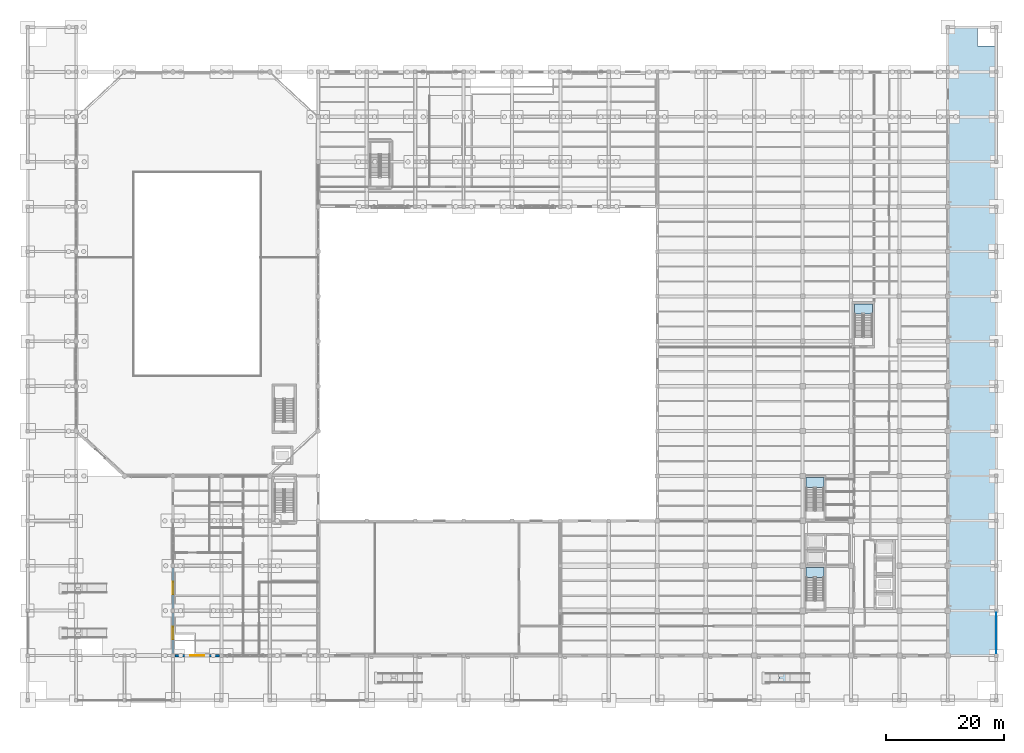
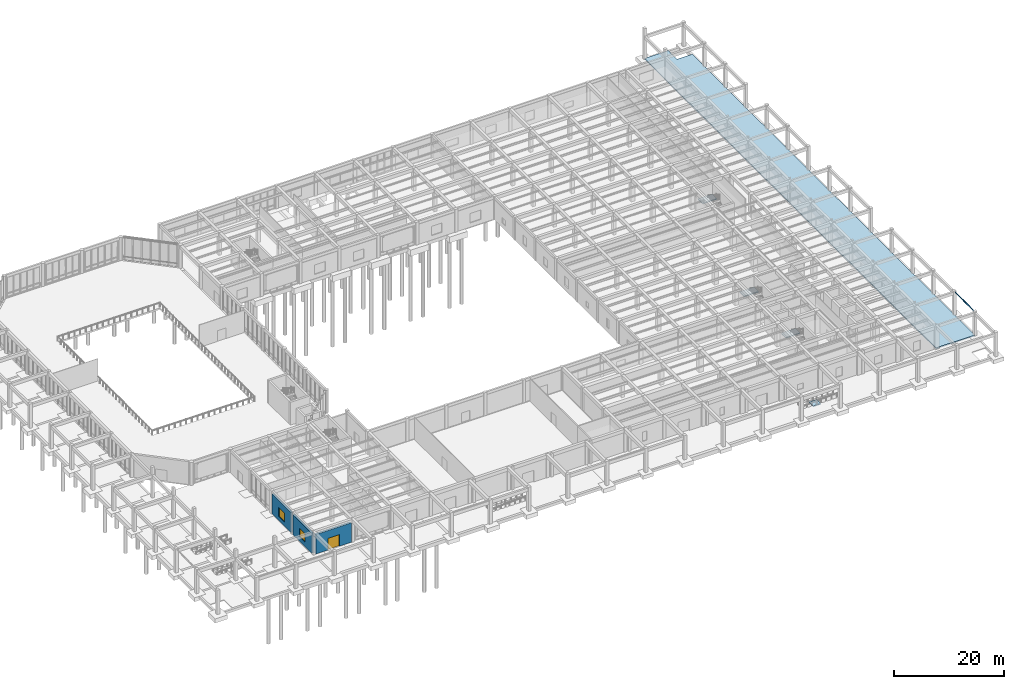
# One storey, part 41 of 64: 5 slabs, 3 walls, 2 windows, 1 door, 1 plate, 3 openings, 4 elements without a shape of their own.
"""IFC4 building model written with IfcOpenShell, lengths in metres."""

from ifc_helpers import new_model, si_unit, direction, frame, frame_2d, origin, origin_2d, place, context, subcontext, project, spatial, polyline, rectangle, outline, extrude, material, layer, layer_set, type_object, element, fill, aggregate, save


model = new_model("IFC4")

# Units and contexts
model_context = context("Model", 3, precision=1e-05, world=origin(), true_north=direction((0.0, 1.0)))
body_context = subcontext(model_context, "Body", "Model", "MODEL_VIEW")
ifc_project = project(units=[si_unit("LENGTHUNIT", "METRE"), si_unit("AREAUNIT", "SQUARE_METRE"), si_unit("VOLUMEUNIT", "CUBIC_METRE"), si_unit("PLANEANGLEUNIT", "RADIAN"), si_unit("MASSUNIT", "GRAM", prefix="KILO")], contexts=[model_context])

# Site, building, storey
site_placement = place(None, origin())
site = spatial("IfcSite", under=ifc_project, at=site_placement, CompositionType="ELEMENT")
building_placement = place(site_placement, origin())
building = spatial("IfcBuilding", under=site, at=building_placement, Name="Qandaris Square Conservatory and Botanical Centre", CompositionType="ELEMENT")
storey_placement = place(building_placement, origin())
storey = spatial("IfcBuildingStorey", under=building, at=storey_placement, Name="L00", CompositionType="ELEMENT", Elevation=0.0)

# Ramp, slab
ifc_material_1 = material(Name="Concrete C40/50", Category="concrete")
ramp_type = type_object("IfcRampType", Name="Accessible Forecourt Stone Ramp", PredefinedType="TWO_STRAIGHT_RUN_RAMP", material=ifc_material_1)
ramp_placement = place(storey_placement, origin())
ramp = element("IfcRamp", 1, at=ramp_placement, inside=storey, type_object=ramp_type, Name="Accessible Entrance Ramp RMP-04", PredefinedType="TWO_STRAIGHT_RUN_RAMP")
ifc_layer_1 = layer(ifc_material_1, 0.219970703125)
ifc_layer_set_1 = layer_set([ifc_layer_1], Name="Concrete C40/50")
slab_type_1 = type_object("IfcSlabType", Name="Accessible Ramp Landing Slab 220mm", PredefinedType="LANDING", material=ifc_layer_set_1)
slab_1_placement = place(storey_placement, frame((0.0, 0.0, -0.409912109375)))
slab_1 = element("IfcSlab", 2, at=slab_1_placement, type_object=slab_type_1, Name="RMP-04 Mid Landing", PredefinedType="LANDING", context=body_context, shape_type="SweptSolid", body=[
    extrude(outline(polyline([(135.300048828125, 12.050048828125), (136.89990234375, 12.050048828125), (136.89990234375, 13.550048828125), (135.300048828125, 13.550048828125), (135.300048828125, 12.050048828125)])), origin(), (0.0, 0.0, 1.0), 0.219970703125),
])
aggregate(ramp, [slab_1])

# Plate
ifc_material_2 = material(Name="Anodised Aluminium", Category="aluminium")
ifc_layer_2 = layer(ifc_material_2, 0.030029296875)
ifc_layer_set_2 = layer_set([ifc_layer_2], Name="Anodised Aluminium")
plate_type = type_object("IfcPlateType", Name="Prairie Entrance Canopy Soffit Fascia Plate", PredefinedType="SHEET", material=ifc_layer_set_2)
plate_placement = place(storey_placement, frame((172.0, 20.39990234375, 5.0498046875), z_axis=(0.0, 0.0, 1.0), x_axis=(0.0, 1.0, 0.0)))
element("IfcPlate", 3, at=plate_placement, inside=storey, type_object=plate_type, Name="Canopy Fascia CNP-E1", PredefinedType="SHEET", context=body_context, shape_type="SweptSolid", body=[
    extrude(rectangle(XDim=6.800048828125, YDim=0.030029296875, at=origin_2d()), origin(), (0.0, 0.0, 1.0), 0.239990234375),
])

# Slab
ifc_layer_3 = layer(ifc_material_1, 0.235107421875)
ifc_layer_set_3 = layer_set([ifc_layer_3], Name="Concrete C40/50")
slab_type_2 = type_object("IfcSlabType", Name="RC Exterior Terrace Slab 235mm", PredefinedType="FLOOR", material=ifc_layer_set_3)
slab_2_placement = place(storey_placement, frame((0.0, 0.0, -0.235107421875)))
element("IfcSlab", 4, at=slab_2_placement, inside=storey, type_object=slab_type_2, Name="Colonnade Plaza Deck COL-E", PredefinedType="FLOOR", context=body_context, shape_type="SweptSolid", body=[
    extrude(outline(polyline([(172.0, 16.60009765625), (163.800048828125, 16.60009765625), (163.800048828125, 123.0), (168.800048828125, 123.0), (168.800048828125, 119.800048828125), (172.0, 119.800048828125), (172.0, 16.60009765625)])), origin(), (0.0, 0.0, 1.0), 0.235107421875),
])

# Stair, slab
stair_type = type_object("IfcStairType", Name="Core Escape Scissor Stair", PredefinedType="HALF_TURN_STAIR", material=ifc_material_1)
stair_1_placement = place(storey_placement, origin())
stair_1 = element("IfcStair", 5, at=stair_1_placement, inside=storey, type_object=stair_type, Name="L00 Tower South Exit Stair ST-1", PredefinedType="HALF_TURN_STAIR")
ifc_layer_4 = layer(ifc_material_1, 0.219970703125)
ifc_layer_set_4 = layer_set([ifc_layer_4], Name="Concrete C40/50")
slab_type_3 = type_object("IfcSlabType", Name="RC Stair Half-Landing Slab 220mm", PredefinedType="LANDING", material=ifc_layer_set_4)
slab_3_placement = place(storey_placement, frame((0.0, 0.0, 2.5)))
slab_3 = element("IfcSlab", 6, at=slab_3_placement, type_object=slab_type_3, Name="ST-1 landing 1", PredefinedType="LANDING", context=body_context, shape_type="SweptSolid", body=[
    extrude(outline(polyline([(142.800048828125, 29.820068359375), (142.800048828125, 31.5), (139.800048828125, 31.5), (139.800048828125, 29.820068359375), (142.800048828125, 29.820068359375)])), origin(), (0.0, 0.0, 1.0), 0.199951171875),
])
aggregate(stair_1, [slab_3])

stair_2_placement = place(storey_placement, origin())
stair_2 = element("IfcStair", 7, at=stair_2_placement, inside=storey, type_object=stair_type, Name="L00 Tower North Exit Stair ST-2", PredefinedType="HALF_TURN_STAIR")
slab_4_placement = place(storey_placement, frame((0.0, 0.0, 2.5)))
slab_4 = element("IfcSlab", 8, at=slab_4_placement, type_object=slab_type_3, Name="ST-2 landing 1", PredefinedType="LANDING", context=body_context, shape_type="SweptSolid", body=[
    extrude(outline(polyline([(142.800048828125, 45.02001953125), (142.800048828125, 46.699951171875), (139.800048828125, 46.699951171875), (139.800048828125, 45.02001953125), (142.800048828125, 45.02001953125)])), origin(), (0.0, 0.0, 1.0), 0.199951171875),
])
aggregate(stair_2, [slab_4])

stair_3_placement = place(storey_placement, origin())
stair_3 = element("IfcStair", 9, at=stair_3_placement, inside=storey, type_object=stair_type, Name="L00 Herbarium North Exit Stair ST-3", PredefinedType="HALF_TURN_STAIR")
slab_5_placement = place(storey_placement, frame((0.0, 0.0, 2.5)))
slab_5 = element("IfcSlab", 10, at=slab_5_placement, type_object=slab_type_3, Name="ST-3 landing 1", PredefinedType="LANDING", context=body_context, shape_type="SweptSolid", body=[
    extrude(outline(polyline([(151.0, 74.419921875), (151.0, 76.10009765625), (148.0, 76.10009765625), (148.0, 74.419921875), (151.0, 74.419921875)])), origin(), (0.0, 0.0, 1.0), 0.199951171875),
])
aggregate(stair_3, [slab_5])

# Wall, opening, window
ifc_material_3 = material(Name="Precast concrete C40/50", Category="concrete")
ifc_layer_5 = layer(ifc_material_3, 0.360107421875)
ifc_layer_set_5 = layer_set([ifc_layer_5], Name="Precast concrete C40/50")
wall_type_1 = type_object("IfcWallType", Name="Architectural Precast Cladding Wall 360mm", PredefinedType="SOLIDWALL", material=ifc_layer_set_5)
wall_1_placement = place(storey_placement, frame((32.60009765625, 31.43994140625, 0.0), z_axis=(0.0, 0.0, 1.0), x_axis=(0.0, -1.0, 0.0)))
wall_1 = element("IfcWall", 11, at=wall_1_placement, inside=storey, type_object=wall_type_1, Name="Exterior Wall EW-V3A-L00-4-3", PredefinedType="SOLIDWALL", context=body_context, shape_type="SweptSolid", body=[
    extrude(rectangle(XDim=6.8798828125, YDim=0.360107421875, at=frame_2d((3.43994140625, 0.0))), origin(), (0.0, 0.0, 1.0), 4.465087890625),
])
opening_1_placement = place(wall_1_placement, frame((2.389892578125, 0.0, 0.949951171875)))
opening_1 = element("IfcOpeningElement", 12, at=opening_1_placement, cuts=wall_1, Name="Opening WN-07", PredefinedType="OPENING", context=body_context, shape_type="SweptSolid", body=[
    extrude(rectangle(XDim=2.10009765625, YDim=1.949951171875, at=frame_2d((1.050048828125, 0.97509765625))), frame((0.0, 0.19189453125, 0.0), z_axis=(0.0, -1.0, 0.0), x_axis=(1.0, 0.0, 0.0)), (0.0, 0.0, 1.0), 0.384033203125),
])
ifc_material_4 = material(Name="Tempered Low-E Glass", Category="glass")
window_type = type_object("IfcWindowType", Name="Visitor Classroom Deep-Set Window 2100x1950", PartitioningType="DOUBLE_PANEL_VERTICAL", PredefinedType="WINDOW", material=ifc_material_4)
window_1_placement = place(opening_1_placement, origin())
window_1 = element("IfcWindow", 13, at=window_1_placement, inside=storey, type_object=window_type, Name="Window EW-V3A-L00-4-3", OverallHeight=1.949951171875, OverallWidth=2.10009765625, PartitioningType="DOUBLE_PANEL_VERTICAL", PredefinedType="WINDOW", context=body_context, shape_type="SweptSolid", body=[
    extrude(rectangle(XDim=2.10009765625, YDim=1.949951171875, at=frame_2d((1.050048828125, 0.97509765625))), frame((0.0, 0.030029296875, 0.0), z_axis=(0.0, -1.0, 0.0), x_axis=(1.0, 0.0, 0.0)), (0.0, 0.0, 1.0), 0.06005859375),
])
fill(opening_1, window_1)

wall_2_placement = place(storey_placement, frame((32.60009765625, 23.840087890625, 0.0), z_axis=(0.0, 0.0, 1.0), x_axis=(0.0, -1.0, 0.0)))
wall_2 = element("IfcWall", 14, at=wall_2_placement, inside=storey, type_object=wall_type_1, Name="Exterior Wall EW-V3A-L00-4-4", PredefinedType="SOLIDWALL", context=body_context, shape_type="SweptSolid", body=[
    extrude(rectangle(XDim=6.880126953125, YDim=0.360107421875, at=frame_2d((3.43994140625, 0.0))), origin(), (0.0, 0.0, 1.0), 4.465087890625),
])
opening_2_placement = place(wall_2_placement, frame((2.389892578125, 0.0, 0.949951171875)))
opening_2 = element("IfcOpeningElement", 15, at=opening_2_placement, cuts=wall_2, Name="Opening WN-07", PredefinedType="OPENING", context=body_context, shape_type="SweptSolid", body=[
    extrude(rectangle(XDim=2.10009765625, YDim=1.949951171875, at=frame_2d((1.050048828125, 0.97509765625))), frame((0.0, 0.19189453125, 0.0), z_axis=(0.0, -1.0, 0.0), x_axis=(1.0, 0.0, 0.0)), (0.0, 0.0, 1.0), 0.384033203125),
])
window_2_placement = place(opening_2_placement, origin())
window_2 = element("IfcWindow", 16, at=window_2_placement, inside=storey, type_object=window_type, Name="Window EW-V3A-L00-4-4", OverallHeight=1.949951171875, OverallWidth=2.10009765625, PartitioningType="DOUBLE_PANEL_VERTICAL", PredefinedType="WINDOW", context=body_context, shape_type="SweptSolid", body=[
    extrude(rectangle(XDim=2.10009765625, YDim=1.949951171875, at=frame_2d((1.050048828125, 0.97509765625))), frame((0.0, 0.030029296875, 0.0), z_axis=(0.0, -1.0, 0.0), x_axis=(1.0, 0.0, 0.0)), (0.0, 0.0, 1.0), 0.06005859375),
])
fill(opening_2, window_2)

# Wall, opening, door
ifc_layer_6 = layer(ifc_material_1, 0.419921875)
ifc_layer_set_6 = layer_set([ifc_layer_6], Name="Concrete C40/50")
wall_type_2 = type_object("IfcWallType", Name="Insulated Qatari Limestone Cavity Wall 420mm", PredefinedType="SOLIDWALL", material=ifc_layer_set_6)
wall_3_placement = place(storey_placement, frame((32.9599609375, 16.60009765625, 0.0), z_axis=(0.0, 0.0, 1.0), x_axis=(1.0, 0.0, 0.0)))
wall_3 = element("IfcWall", 17, at=wall_3_placement, inside=storey, type_object=wall_type_2, Name="Exterior Wall EW-V3A-L00-1-1", PredefinedType="SOLIDWALL", context=body_context, shape_type="SweptSolid", body=[
    extrude(rectangle(XDim=7.47998046875, YDim=0.419921875, at=frame_2d((3.739990234375, 0.0))), origin(), (0.0, 0.0, 1.0), 4.3349609375),
])
opening_3_placement = place(wall_3_placement, frame((2.5400390625, 0.0, 0.0)))
opening_3 = element("IfcOpeningElement", 18, at=opening_3_placement, cuts=wall_3, Name="Opening ED-T1", PredefinedType="OPENING", context=body_context, shape_type="SweptSolid", body=[
    extrude(rectangle(XDim=2.39990234375, YDim=2.60009765625, at=frame_2d((1.199951171875, 1.300048828125))), frame((0.0, 0.221923828125, 0.0), z_axis=(0.0, -1.0, 0.0), x_axis=(1.0, 0.0, 0.0)), (0.0, 0.0, 1.0), 0.44384765625),
])
door_type = type_object("IfcDoorType", Name="Main Civic Entrance Double Glazed Door 2400x2600", OperationType="DOUBLE_DOOR_SINGLE_SWING", PredefinedType="DOOR", material=ifc_material_2)
door_placement = place(opening_3_placement, frame((2.39990234375, 0.0, 0.0), z_axis=(0.0, 0.0, 1.0), x_axis=(-1.0, 0.0, 0.0)))
door = element("IfcDoor", 19, at=door_placement, inside=storey, type_object=door_type, Name="DR-0071 Exterior Exit Door ED-06", OperationType="DOUBLE_DOOR_SINGLE_SWING", OverallHeight=2.60009765625, OverallWidth=2.39990234375, PredefinedType="DOOR", context=body_context, shape_type="SweptSolid", body=[
    extrude(rectangle(XDim=2.39990234375, YDim=2.60009765625, at=frame_2d((1.199951171875, 1.300048828125))), frame((0.0, 0.02490234375, 0.0), z_axis=(0.0, -1.0, 0.0), x_axis=(1.0, 0.0, 0.0)), (0.0, 0.0, 1.0), 0.050048828125),
])
fill(opening_3, door)

save(model, "model.ifc")
